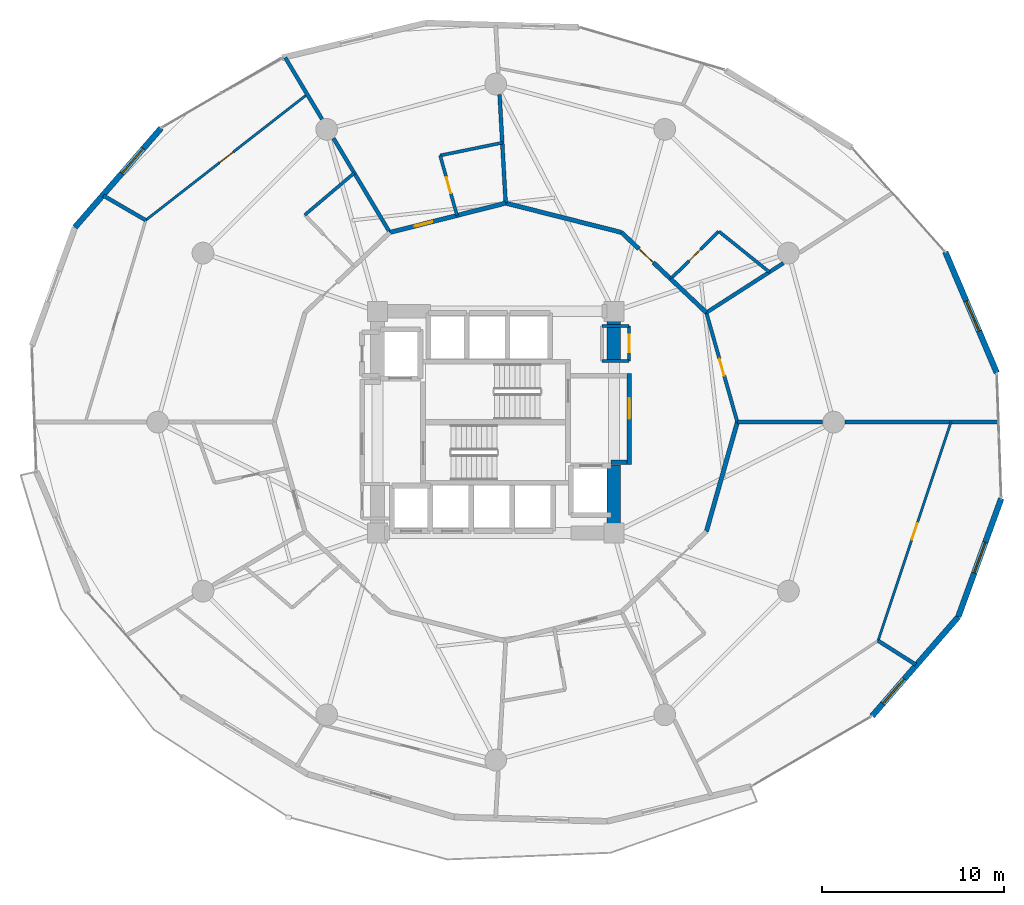
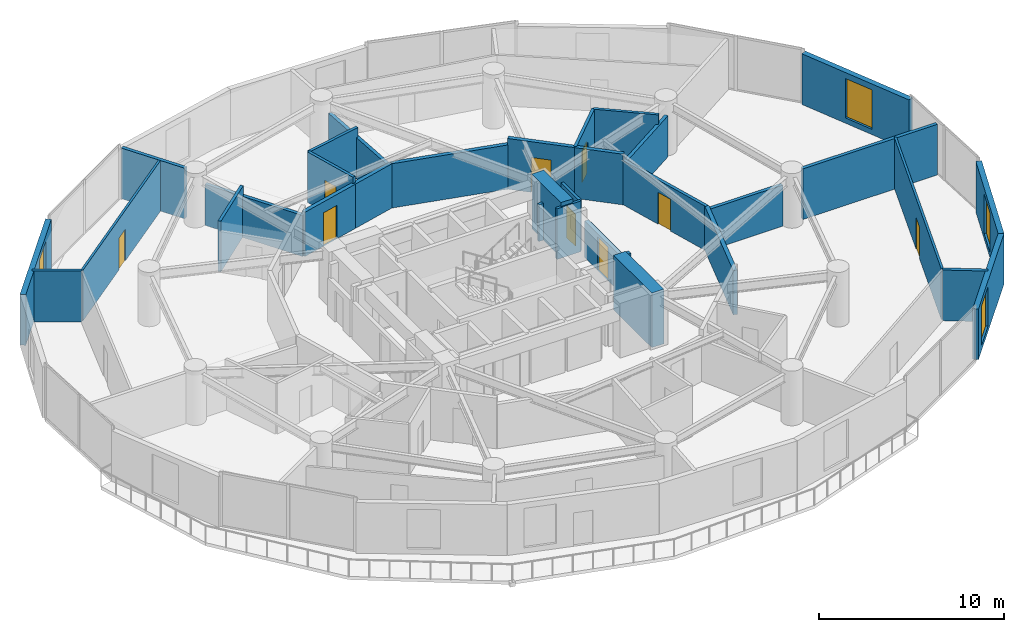
# One storey, part 19 of 23: 33 walls, 9 doors, 4 windows, 13 openings.
"""IFC4 building model written with IfcOpenShell, lengths in metres."""

from ifc_helpers import new_model, si_unit, direction, frame, frame_2d, origin, place, context, subcontext, project, spatial, rectangle, extrude, material, layer, layer_set, type_object, element, fill, save


model = new_model("IFC4")

# Units and contexts
model_context = context("Model", 3, precision=1e-05, world=origin(), true_north=direction((0.0, 1.0)))
body_context = subcontext(model_context, "Body", "Model", "MODEL_VIEW")
ifc_project = project(units=[si_unit("LENGTHUNIT", "METRE"), si_unit("AREAUNIT", "SQUARE_METRE"), si_unit("VOLUMEUNIT", "CUBIC_METRE"), si_unit("PLANEANGLEUNIT", "RADIAN"), si_unit("MASSUNIT", "GRAM", prefix="KILO")], contexts=[model_context])

# Site, building, storey
site_placement = place(None, origin())
site = spatial("IfcSite", under=ifc_project, at=site_placement, CompositionType="ELEMENT")
building_placement = place(site_placement, origin())
building = spatial("IfcBuilding", under=site, at=building_placement, Name="Solvirekh Grand Hotel", CompositionType="ELEMENT")
storey_placement = place(building_placement, frame((0.0, 0.0, 42.800048828125)))
storey = spatial("IfcBuildingStorey", under=building, at=storey_placement, Name="L09", CompositionType="ELEMENT", Elevation=42.800048828125)

# Walls
ifc_material_1 = material(Name="Concrete C60/75", Category="concrete")
ifc_layer_1 = layer(ifc_material_1, 0.75)
ifc_layer_set_1 = layer_set([ifc_layer_1], Name="Concrete C60/75")
wall_type_1 = type_object("IfcWallType", Name="CoreWall_RC750", PredefinedType="SHEAR", material=ifc_layer_set_1)
wall_1_placement = place(storey_placement, frame((6.5, -6.47509765625, 0.0), z_axis=(0.0, 0.0, 1.0), x_axis=(0.0, 1.0, 0.0)))
element("IfcWall", 1, at=wall_1_placement, inside=storey, type_object=wall_type_1, Name="L09 core corner shear wall ES-E", PredefinedType="SHEAR", context=body_context, shape_type="SweptSolid", body=[
    extrude(rectangle(XDim=4.125, YDim=0.75, at=frame_2d((2.0625, 0.0))), origin(), (0.0, 0.0, 1.0), 3.599853515625),
])
wall_2_placement = place(storey_placement, frame((6.5, 3.35009765625, 0.0), z_axis=(0.0, 0.0, 1.0), x_axis=(0.0, 1.0, 0.0)))
element("IfcWall", 2, at=wall_2_placement, inside=storey, type_object=wall_type_1, Name="L09 core corner shear wall EN-E", PredefinedType="SHEAR", context=body_context, shape_type="SweptSolid", body=[
    extrude(rectangle(XDim=3.125, YDim=0.75, at=frame_2d((1.5625, 0.0))), origin(), (0.0, 0.0, 1.0), 3.599853515625),
])

# Wall, opening, window
ifc_material_2 = material(Name="Precast concrete C45/55", Category="concrete")
ifc_layer_2 = layer(ifc_material_2, 0.320068359375)
ifc_layer_set_2 = layer_set([ifc_layer_2], Name="Precast concrete C45/55")
wall_type_2 = type_object("IfcWallType", Name="ExtLobbyWall_RC320", PredefinedType="SOLIDWALL", material=ifc_layer_set_2)
wall_3_placement = place(storey_placement, frame((24.740966796875, 9.37109375, 0.0), z_axis=(0.0, 0.0, 1.0), x_axis=(0.391681637704, -0.920100806806, 0.0)))
wall_3 = element("IfcWall", 3, at=wall_3_placement, inside=storey, type_object=wall_type_2, Name="L09 exterior structural wall chord 2", PredefinedType="SOLIDWALL", context=body_context, shape_type="SweptSolid", body=[
    extrude(rectangle(XDim=7.23291015625, YDim=0.320068359375, at=frame_2d((3.616455078125, 0.0))), origin(), (0.0, 0.0, 1.0), 3.33984375),
])
opening_1_placement = place(wall_3_placement, frame((2.93798828125, 0.0, 0.35009765625)))
opening_1 = element("IfcOpeningElement", 4, at=opening_1_placement, cuts=wall_3, Name="Opening W02", PredefinedType="OPENING", context=body_context, shape_type="SweptSolid", body=[
    extrude(rectangle(XDim=1.800048828125, YDim=2.60009765625, at=frame_2d((0.89990234375, 1.300048828125))), frame((0.0, 0.169921875, 0.0), z_axis=(0.0, -1.0, 0.0), x_axis=(1.0, 0.0, 0.0)), (0.0, 0.0, 1.0), 0.340087890625),
])
ifc_material_3 = material(Name="Low-E Tinted Bronze Laminated Glass", Category="aluminium")
window_type = type_object("IfcWindowType", Name="Win_LobbyExt_1800X2600", PartitioningType="SINGLE_PANEL", PredefinedType="WINDOW", material=ifc_material_3)
window_1_placement = place(opening_1_placement, origin())
window_1 = element("IfcWindow", 5, at=window_1_placement, inside=storey, type_object=window_type, Name="L09 panoramic bronze-framed window 2", OverallHeight=2.60009765625, OverallWidth=1.800048828125, PartitioningType="SINGLE_PANEL", PredefinedType="WINDOW", context=body_context, shape_type="SweptSolid", body=[
    extrude(rectangle(XDim=1.800048828125, YDim=2.60009765625, at=frame_2d((0.89990234375, 1.300048828125))), frame((0.0, 0.030029296875, 0.0), z_axis=(0.0, -1.0, 0.0), x_axis=(1.0, 0.0, 0.0)), (0.0, 0.0, 1.0), 0.06005859375),
])
fill(opening_1, window_1)

wall_4_placement = place(storey_placement, frame((-23.156005859375, 10.715087890625, 0.0), z_axis=(0.0, 0.0, 1.0), x_axis=(0.655795022555, 0.75493899647, 0.0)))
wall_4 = element("IfcWall", 6, at=wall_4_placement, inside=storey, type_object=wall_type_2, Name="L09 exterior structural wall chord 9", PredefinedType="SOLIDWALL", context=body_context, shape_type="SweptSolid", body=[
    extrude(rectangle(XDim=7.232421875, YDim=0.320068359375, at=frame_2d((3.6162109375, 0.0))), origin(), (0.0, 0.0, 1.0), 3.33984375),
])
opening_2_placement = place(wall_4_placement, frame((3.94091796875, 0.0, 0.35009765625)))
opening_2 = element("IfcOpeningElement", 7, at=opening_2_placement, cuts=wall_4, Name="Opening W02", PredefinedType="OPENING", context=body_context, shape_type="SweptSolid", body=[
    extrude(rectangle(XDim=1.800048828125, YDim=2.60009765625, at=frame_2d((0.89990234375, 1.300048828125))), frame((0.0, 0.169921875, 0.0), z_axis=(0.0, -1.0, 0.0), x_axis=(1.0, 0.0, 0.0)), (0.0, 0.0, 1.0), 0.340087890625),
])
window_2_placement = place(opening_2_placement, origin())
window_2 = element("IfcWindow", 8, at=window_2_placement, inside=storey, type_object=window_type, Name="L09 panoramic bronze-framed window 9", OverallHeight=2.60009765625, OverallWidth=1.800048828125, PartitioningType="SINGLE_PANEL", PredefinedType="WINDOW", context=body_context, shape_type="SweptSolid", body=[
    extrude(rectangle(XDim=1.800048828125, YDim=2.60009765625, at=frame_2d((0.89990234375, 1.300048828125))), frame((0.0, 0.030029296875, 0.0), z_axis=(0.0, -1.0, 0.0), x_axis=(1.0, 0.0, 0.0)), (0.0, 0.0, 1.0), 0.06005859375),
])
fill(opening_2, window_2)

wall_5_placement = place(storey_placement, frame((25.4560546875, -10.715087890625, 0.0), z_axis=(0.0, 0.0, 1.0), x_axis=(-0.655814261076, -0.754922284059, 0.0)))
wall_5 = element("IfcWall", 9, at=wall_5_placement, inside=storey, type_object=wall_type_2, Name="L09 exterior structural wall chord 19", PredefinedType="SOLIDWALL", context=body_context, shape_type="SweptSolid", body=[
    extrude(rectangle(XDim=7.232421875, YDim=0.320068359375, at=frame_2d((3.6162109375, 0.0))), origin(), (0.0, 0.0, 1.0), 3.33984375),
])
opening_3_placement = place(wall_5_placement, frame((4.52587890625, 0.0, 0.35009765625)))
opening_3 = element("IfcOpeningElement", 10, at=opening_3_placement, cuts=wall_5, Name="Opening W02", PredefinedType="OPENING", context=body_context, shape_type="SweptSolid", body=[
    extrude(rectangle(XDim=1.800048828125, YDim=2.60009765625, at=frame_2d((0.89990234375, 1.300048828125))), frame((0.0, 0.169921875, 0.0), z_axis=(0.0, -1.0, 0.0), x_axis=(1.0, 0.0, 0.0)), (0.0, 0.0, 1.0), 0.340087890625),
])
window_3_placement = place(opening_3_placement, origin())
window_3 = element("IfcWindow", 11, at=window_3_placement, inside=storey, type_object=window_type, Name="L09 panoramic bronze-framed window 19", OverallHeight=2.60009765625, OverallWidth=1.800048828125, PartitioningType="SINGLE_PANEL", PredefinedType="WINDOW", context=body_context, shape_type="SweptSolid", body=[
    extrude(rectangle(XDim=1.800048828125, YDim=2.60009765625, at=frame_2d((0.89990234375, 1.300048828125))), frame((0.0, 0.030029296875, 0.0), z_axis=(0.0, -1.0, 0.0), x_axis=(1.0, 0.0, 0.0)), (0.0, 0.0, 1.0), 0.06005859375),
])
fill(opening_3, window_3)

wall_6_placement = place(storey_placement, frame((27.821044921875, -4.205078125, 0.0), z_axis=(0.0, 0.0, 1.0), x_axis=(-0.341451539559, -0.939899380856, 0.0)))
wall_6 = element("IfcWall", 12, at=wall_6_placement, inside=storey, type_object=wall_type_2, Name="L09 exterior structural wall chord 20", PredefinedType="SOLIDWALL", context=body_context, shape_type="SweptSolid", body=[
    extrude(rectangle(XDim=6.92626953125, YDim=0.320068359375, at=frame_2d((3.463134765625, 0.0))), origin(), (0.0, 0.0, 1.0), 3.33984375),
])
opening_4_placement = place(wall_6_placement, frame((2.56298828125, 0.0, 0.35009765625)))
opening_4 = element("IfcOpeningElement", 13, at=opening_4_placement, cuts=wall_6, Name="Opening W02", PredefinedType="OPENING", context=body_context, shape_type="SweptSolid", body=[
    extrude(rectangle(XDim=1.800048828125, YDim=2.60009765625, at=frame_2d((0.89990234375, 1.300048828125))), frame((0.0, 0.169921875, 0.0), z_axis=(0.0, -1.0, 0.0), x_axis=(1.0, 0.0, 0.0)), (0.0, 0.0, 1.0), 0.340087890625),
])
window_4_placement = place(opening_4_placement, origin())
window_4 = element("IfcWindow", 14, at=window_4_placement, inside=storey, type_object=window_type, Name="L09 panoramic bronze-framed window 20", OverallHeight=2.60009765625, OverallWidth=1.800048828125, PartitioningType="SINGLE_PANEL", PredefinedType="WINDOW", context=body_context, shape_type="SweptSolid", body=[
    extrude(rectangle(XDim=1.800048828125, YDim=2.60009765625, at=frame_2d((0.89990234375, 1.300048828125))), frame((0.0, 0.030029296875, 0.0), z_axis=(0.0, -1.0, 0.0), x_axis=(1.0, 0.0, 0.0)), (0.0, 0.0, 1.0), 0.06005859375),
])
fill(opening_4, window_4)

# Wall
ifc_material_4 = material(Name="Acoustic Gypsum Partition Assembly")
ifc_layer_3 = layer(ifc_material_4, 0.1650390625)
ifc_layer_set_3 = layer_set([ifc_layer_3], Name="Acoustic Gypsum Partition Assembly")
wall_type_3 = type_object("IfcWallType", Name="Part_BOH_165", PredefinedType="PARTITIONING", material=ifc_layer_set_3)
wall_7_placement = place(storey_placement, frame((5.85009765625, 3.35009765625, 0.0), z_axis=(0.0, 0.0, 1.0), x_axis=(1.0, 0.0, 0.0)))
element("IfcWall", 15, at=wall_7_placement, inside=storey, type_object=wall_type_3, Name="L09 L09 Core Housekeeping Room wall 1", PredefinedType="PARTITIONING", context=body_context, shape_type="SweptSolid", body=[
    extrude(rectangle(XDim=1.5, YDim=0.1650390625, at=frame_2d((0.75, 0.0))), origin(), (0.0, 0.0, 1.0), 3.33984375),
])

# Wall, opening, door
wall_8_placement = place(storey_placement, frame((7.35009765625, 3.35009765625, 0.0), z_axis=(0.0, 0.0, 1.0), x_axis=(0.0, 1.0, 0.0)))
wall_8 = element("IfcWall", 16, at=wall_8_placement, inside=storey, type_object=wall_type_3, Name="L09 L09 Core Housekeeping Room wall 2", PredefinedType="PARTITIONING", context=body_context, shape_type="SweptSolid", body=[
    extrude(rectangle(XDim=1.949951171875, YDim=0.1650390625, at=frame_2d((0.97509765625, 0.0))), origin(), (0.0, 0.0, 1.0), 3.33984375),
])
opening_5_placement = place(wall_8_placement, frame((0.5, 0.0, 0.0)))
opening_5 = element("IfcOpeningElement", 17, at=opening_5_placement, cuts=wall_8, Name="Opening D10", PredefinedType="OPENING", context=body_context, shape_type="SweptSolid", body=[
    extrude(rectangle(XDim=0.949951171875, YDim=2.10009765625, at=frame_2d((0.47509765625, 1.050048828125))), frame((0.0, 0.092529296875, 0.0), z_axis=(0.0, -1.0, 0.0), x_axis=(1.0, 0.0, 0.0)), (0.0, 0.0, 1.0), 0.18505859375),
])
ifc_material_5 = material(Name="Anodized Bronze Aluminium 6063-T6", Category="aluminium")
door_type_1 = type_object("IfcDoorType", Name="Door_RoomInt_950X2100", OperationType="NOTDEFINED", PredefinedType="DOOR", material=ifc_material_5)
door_1_placement = place(opening_5_placement, origin())
door_1 = element("IfcDoor", 18, at=door_1_placement, inside=storey, type_object=door_type_1, Name="L09 L09 Core Housekeeping Room door", OperationType="SINGLE_SWING_RIGHT", OverallHeight=2.10009765625, OverallWidth=0.949951171875, PredefinedType="DOOR", context=body_context, shape_type="SweptSolid", body=[
    extrude(rectangle(XDim=0.949951171875, YDim=2.10009765625, at=frame_2d((0.47509765625, 1.050048828125))), frame((0.0, 0.02490234375, 0.0), z_axis=(0.0, -1.0, 0.0), x_axis=(1.0, 0.0, 0.0)), (0.0, 0.0, 1.0), 0.050048828125),
])
fill(opening_5, door_1)

# Wall
wall_9_placement = place(storey_placement, frame((7.35009765625, 5.300048828125, 0.0), z_axis=(0.0, 0.0, 1.0), x_axis=(-1.0, 0.0, 0.0)))
element("IfcWall", 19, at=wall_9_placement, inside=storey, type_object=wall_type_3, Name="L09 L09 Core Housekeeping Room wall 3", PredefinedType="PARTITIONING", context=body_context, shape_type="SweptSolid", body=[
    extrude(rectangle(XDim=1.5, YDim=0.1650390625, at=frame_2d((0.75, 0.0))), origin(), (0.0, 0.0, 1.0), 2.425048828125),
])

# Wall, opening, door
ifc_layer_4 = layer(ifc_material_4, 0.239990234375)
ifc_layer_set_4 = layer_set([ifc_layer_4], Name="Acoustic Gypsum Partition Assembly")
wall_type_4 = type_object("IfcWallType", Name="Part_Corridor_240", PredefinedType="PARTITIONING", material=ifc_layer_set_4)
wall_10_placement = place(storey_placement, frame((7.35009765625, -2.340087890625, 0.0), z_axis=(0.0, 0.0, 1.0), x_axis=(0.0, 1.0, 0.0)))
wall_10 = element("IfcWall", 20, at=wall_10_placement, inside=storey, type_object=wall_type_4, Name="L09 east firefighting lobby smoke screen wall", PredefinedType="PARTITIONING", context=body_context, shape_type="SweptSolid", body=[
    extrude(rectangle(XDim=5.02001953125, YDim=0.239990234375, at=frame_2d((2.510009765625, 0.0))), origin(), (0.0, 0.0, 1.0), 2.425048828125),
])
opening_6_placement = place(wall_10_placement, frame((2.514892578125, 0.0, 0.0)))
opening_6 = element("IfcOpeningElement", 21, at=opening_6_placement, cuts=wall_10, Name="Opening D06", PredefinedType="OPENING", context=body_context, shape_type="SweptSolid", body=[
    extrude(rectangle(XDim=1.14990234375, YDim=2.199951171875, at=frame_2d((0.574951171875, 1.10009765625))), frame((0.0, 0.1298828125, 0.0), z_axis=(0.0, -1.0, 0.0), x_axis=(1.0, 0.0, 0.0)), (0.0, 0.0, 1.0), 0.260009765625),
])
ifc_material_6 = material(Name="Fire-Rated Steel Door Assembly", Category="steel")
door_type_2 = type_object("IfcDoorType", Name="Door_FFLobby_1150X2200", OperationType="NOTDEFINED", PredefinedType="DOOR", material=ifc_material_6)
door_2_placement = place(opening_6_placement, origin())
door_2 = element("IfcDoor", 22, at=door_2_placement, inside=storey, type_object=door_type_2, Name="L09 east firefighting lobby smoke door", OperationType="SINGLE_SWING_LEFT", OverallHeight=2.199951171875, OverallWidth=1.14990234375, PredefinedType="DOOR", context=body_context, shape_type="SweptSolid", body=[
    extrude(rectangle(XDim=1.14990234375, YDim=2.199951171875, at=frame_2d((0.574951171875, 1.10009765625))), frame((0.0, 0.02490234375, 0.0), z_axis=(0.0, -1.0, 0.0), x_axis=(1.0, 0.0, 0.0)), (0.0, 0.0, 1.0), 0.050048828125),
])
fill(opening_6, door_2)

# Walls
wall_11_placement = place(storey_placement, frame((11.592041015625, 6.02490234375, 0.0), z_axis=(0.0, 0.0, 1.0), x_axis=(-0.726651583854, 0.687006168591, 0.0)))
element("IfcWall", 23, at=wall_11_placement, inside=storey, type_object=wall_type_4, Name="L09 En-suite Bathroom 1101 corridor backing wall", PredefinedType="PARTITIONING", context=body_context, shape_type="SweptSolid", body=[
    extrude(rectangle(XDim=2.697265625, YDim=0.239990234375, at=frame_2d((1.3486328125, 0.0))), origin(), (0.0, 0.0, 1.0), 3.33984375),
])
wall_12_placement = place(storey_placement, frame((6.925048828125, 10.43603515625, 0.0), z_axis=(0.0, 0.0, 1.0), x_axis=(-0.969413132073, 0.245434674331, 0.0)))
element("IfcWall", 24, at=wall_12_placement, inside=storey, type_object=wall_type_4, Name="L09 Executive Suite 1101 Living Room corridor wall 1", PredefinedType="PARTITIONING", context=body_context, shape_type="SweptSolid", body=[
    extrude(rectangle(XDim=6.576171875, YDim=0.239990234375, at=frame_2d((3.2880859375, 0.0))), origin(), (0.0, 0.0, 1.0), 2.91796875),
])

# Wall, opening, door
wall_13_placement = place(storey_placement, frame((9.632080078125, 7.8779296875, 0.0), z_axis=(0.0, 0.0, 1.0), x_axis=(-0.726816794063, 0.686831382413, 0.0)))
wall_13 = element("IfcWall", 25, at=wall_13_placement, inside=storey, type_object=wall_type_4, Name="L09 Executive Suite 1101 Living Room entrance wall", PredefinedType="PARTITIONING", context=body_context, shape_type="SweptSolid", body=[
    extrude(rectangle(XDim=3.724609375, YDim=0.239990234375, at=frame_2d((1.8623046875, 0.0))), origin(), (0.0, 0.0, 1.0), 3.33984375),
])
opening_7_placement = place(wall_13_placement, frame((1.31201171875, 0.0, 0.0)))
opening_7 = element("IfcOpeningElement", 26, at=opening_7_placement, cuts=wall_13, Name="Opening D08", PredefinedType="OPENING", context=body_context, shape_type="SweptSolid", body=[
    extrude(rectangle(XDim=1.10009765625, YDim=2.300048828125, at=frame_2d((0.550048828125, 1.14990234375))), frame((0.0, 0.1298828125, 0.0), z_axis=(0.0, -1.0, 0.0), x_axis=(1.0, 0.0, 0.0)), (0.0, 0.0, 1.0), 0.260009765625),
])
door_type_3 = type_object("IfcDoorType", Name="Door_SuiteEntry_1100X2300", OperationType="NOTDEFINED", PredefinedType="DOOR", material=ifc_material_6)
door_3_placement = place(opening_7_placement, origin())
door_3 = element("IfcDoor", 27, at=door_3_placement, inside=storey, type_object=door_type_3, Name="L09 Executive Suite 1101 Living Room entrance door", OperationType="SINGLE_SWING_RIGHT", OverallHeight=2.300048828125, OverallWidth=1.10009765625, PredefinedType="DOOR", context=body_context, shape_type="SweptSolid", body=[
    extrude(rectangle(XDim=1.10009765625, YDim=2.300048828125, at=frame_2d((0.550048828125, 1.14990234375))), frame((0.0, 0.02490234375, 0.0), z_axis=(0.0, -1.0, 0.0), x_axis=(1.0, 0.0, 0.0)), (0.0, 0.0, 1.0), 0.050048828125),
])
fill(opening_7, door_3)

# Wall
wall_14_placement = place(storey_placement, frame((0.550048828125, 12.050048828125, 0.0), z_axis=(0.0, 0.0, 1.0), x_axis=(-0.969394271919, -0.245509155779, 0.0)))
element("IfcWall", 28, at=wall_14_placement, inside=storey, type_object=wall_type_4, Name="L09 En-suite Bathroom 1102 corridor backing wall", PredefinedType="PARTITIONING", context=body_context, shape_type="SweptSolid", body=[
    extrude(rectangle(XDim=2.761474609375, YDim=0.239990234375, at=frame_2d((1.380859375, 0.0))), origin(), (0.0, 0.0, 1.0), 2.91796875),
])

# Wall, opening, door
wall_15_placement = place(storey_placement, frame((-2.126953125, 11.3720703125, 0.0), z_axis=(0.0, 0.0, 1.0), x_axis=(-0.969426781934, -0.245380754072, 0.0)))
wall_15 = element("IfcWall", 29, at=wall_15_placement, inside=storey, type_object=wall_type_4, Name="L09 Deluxe Guestroom 1102 entrance wall", PredefinedType="PARTITIONING", context=body_context, shape_type="SweptSolid", body=[
    extrude(rectangle(XDim=3.814697265625, YDim=0.239990234375, at=frame_2d((1.9072265625, 0.0))), origin(), (0.0, 0.0, 1.0), 2.91796875),
])
opening_8_placement = place(wall_15_placement, frame((1.406982421875, 0.0, 0.0)))
opening_8 = element("IfcOpeningElement", 30, at=opening_8_placement, cuts=wall_15, Name="Opening D07", PredefinedType="OPENING", context=body_context, shape_type="SweptSolid", body=[
    extrude(rectangle(XDim=1.0, YDim=2.199951171875, at=frame_2d((0.5, 1.10009765625))), frame((0.0, 0.1298828125, 0.0), z_axis=(0.0, -1.0, 0.0), x_axis=(1.0, 0.0, 0.0)), (0.0, 0.0, 1.0), 0.260009765625),
])
door_type_4 = type_object("IfcDoorType", Name="Door_GuestEntry_1000X2200", OperationType="NOTDEFINED", PredefinedType="DOOR", material=ifc_material_6)
door_4_placement = place(opening_8_placement, origin())
door_4 = element("IfcDoor", 31, at=door_4_placement, inside=storey, type_object=door_type_4, Name="L09 Deluxe Guestroom 1102 entrance door", OperationType="SINGLE_SWING_RIGHT", OverallHeight=2.199951171875, OverallWidth=1.0, PredefinedType="DOOR", context=body_context, shape_type="SweptSolid", body=[
    extrude(rectangle(XDim=1.0, YDim=2.199951171875, at=frame_2d((0.5, 1.10009765625))), frame((0.0, 0.02490234375, 0.0), z_axis=(0.0, -1.0, 0.0), x_axis=(1.0, 0.0, 0.0)), (0.0, 0.0, 1.0), 0.050048828125),
])
fill(opening_8, door_4)

# Wall
wall_16_placement = place(storey_placement, frame((11.592041015625, -6.02490234375, 0.0), z_axis=(0.0, 0.0, 1.0), x_axis=(0.272743314702, 0.962086838225, 0.0)))
element("IfcWall", 32, at=wall_16_placement, inside=storey, type_object=wall_type_4, Name="L09 Executive Suite 1107 Living Room corridor wall 1", PredefinedType="PARTITIONING", context=body_context, shape_type="SweptSolid", body=[
    extrude(rectangle(XDim=6.26220703125, YDim=0.239990234375, at=frame_2d((3.131103515625, 0.0))), origin(), (0.0, 0.0, 1.0), 2.91796875),
])

# Wall, opening, door
ifc_layer_5 = layer(ifc_material_4, 0.18994140625)
ifc_layer_set_5 = layer_set([ifc_layer_5], Name="Acoustic Gypsum Partition Assembly")
wall_type_5 = type_object("IfcWallType", Name="Part_GuestDemise_190", PredefinedType="PARTITIONING", material=ifc_layer_set_5)
wall_17_placement = place(storey_placement, frame((13.300048828125, 0.0, 0.0), z_axis=(0.0, 0.0, 1.0), x_axis=(-0.272743314702, 0.962086838225, 0.0)))
wall_17 = element("IfcWall", 33, at=wall_17_placement, inside=storey, type_object=wall_type_5, Name="L09 L09 Tea & Samovar Lounge entrance wall", PredefinedType="PARTITIONING", context=body_context, shape_type="SweptSolid", body=[
    extrude(rectangle(XDim=6.26220703125, YDim=0.18994140625, at=frame_2d((3.131103515625, 0.0))), origin(), (0.0, 0.0, 1.0), 2.91796875),
])
opening_9_placement = place(wall_17_placement, frame((2.656005859375, 0.0, 0.0)))
opening_9 = element("IfcOpeningElement", 34, at=opening_9_placement, cuts=wall_17, Name="Opening D10", PredefinedType="OPENING", context=body_context, shape_type="SweptSolid", body=[
    extrude(rectangle(XDim=0.949951171875, YDim=2.10009765625, at=frame_2d((0.47509765625, 1.050048828125))), frame((0.0, 0.10498046875, 0.0), z_axis=(0.0, -1.0, 0.0), x_axis=(1.0, 0.0, 0.0)), (0.0, 0.0, 1.0), 0.2099609375),
])
door_5_placement = place(opening_9_placement, origin())
door_5 = element("IfcDoor", 35, at=door_5_placement, inside=storey, type_object=door_type_1, Name="L09 L09 Tea & Samovar Lounge entrance door", OperationType="SINGLE_SWING_LEFT", OverallHeight=2.10009765625, OverallWidth=0.949951171875, PredefinedType="DOOR", context=body_context, shape_type="SweptSolid", body=[
    extrude(rectangle(XDim=0.949951171875, YDim=2.10009765625, at=frame_2d((0.47509765625, 1.050048828125))), frame((0.0, 0.02490234375, 0.0), z_axis=(0.0, -1.0, 0.0), x_axis=(1.0, 0.0, 0.0)), (0.0, 0.0, 1.0), 0.050048828125),
])
fill(opening_9, door_5)

# Wall
ifc_layer_6 = layer(ifc_material_4, 0.260009765625)
ifc_layer_set_6 = layer_set([ifc_layer_6], Name="Acoustic Gypsum Partition Assembly")
wall_type_6 = type_object("IfcWallType", Name="Part_LobbyFF_260", PredefinedType="PARTITIONING", material=ifc_layer_set_6)
wall_18_placement = place(storey_placement, frame((6.35009765625, -2.2099609375, 0.0), z_axis=(0.0, 0.0, 1.0), x_axis=(1.0, 0.0, 0.0)))
element("IfcWall", 36, at=wall_18_placement, inside=storey, type_object=wall_type_6, Name="L09 east firefighting lobby SE cheek", PredefinedType="PARTITIONING", context=body_context, shape_type="SweptSolid", body=[
    extrude(rectangle(XDim=0.875, YDim=0.260009765625, at=frame_2d((0.4375, 0.0))), origin(), (0.0, 0.0, 1.0), 3.33984375),
])

# Wall, opening, door
ifc_layer_7 = layer(ifc_material_4, 0.135009765625)
ifc_layer_set_7 = layer_set([ifc_layer_7], Name="Acoustic Gypsum Partition Assembly")
wall_type_7 = type_object("IfcWallType", Name="Part_RoomInt_135", PredefinedType="PARTITIONING", material=ifc_layer_set_7)
wall_19_placement = place(storey_placement, frame((-10.37109375, 18.035888671875, 0.0), z_axis=(0.0, 0.0, 1.0), x_axis=(-0.788739150212, -0.614728031671, 0.0)))
wall_19 = element("IfcWall", 37, at=wall_19_placement, inside=storey, type_object=wall_type_7, Name="L09 Executive Suite 1103 Living Room bedroom screen wall", PredefinedType="PARTITIONING", context=body_context, shape_type="SweptSolid", body=[
    extrude(rectangle(XDim=11.264892578125, YDim=0.135009765625, at=frame_2d((5.63232421875, 0.0))), origin(), (0.0, 0.0, 1.0), 3.33984375),
])
opening_10_placement = place(wall_19_placement, frame((5.156982421875, 0.0, 0.0)))
opening_10 = element("IfcOpeningElement", 38, at=opening_10_placement, cuts=wall_19, Name="Opening D10", PredefinedType="OPENING", context=body_context, shape_type="SweptSolid", body=[
    extrude(rectangle(XDim=0.949951171875, YDim=2.10009765625, at=frame_2d((0.47509765625, 1.050048828125))), frame((0.0, 0.07763671875, 0.0), z_axis=(0.0, -1.0, 0.0), x_axis=(1.0, 0.0, 0.0)), (0.0, 0.0, 1.0), 0.155029296875),
])
door_6_placement = place(opening_10_placement, origin())
door_6 = element("IfcDoor", 39, at=door_6_placement, inside=storey, type_object=door_type_1, Name="L09 Executive Suite 1103 Living Room master bedroom door", OperationType="SINGLE_SWING_LEFT", OverallHeight=2.10009765625, OverallWidth=0.949951171875, PredefinedType="DOOR", context=body_context, shape_type="SweptSolid", body=[
    extrude(rectangle(XDim=0.949951171875, YDim=2.10009765625, at=frame_2d((0.47509765625, 1.050048828125))), frame((0.0, 0.02490234375, 0.0), z_axis=(0.0, -1.0, 0.0), x_axis=(1.0, 0.0, 0.0)), (0.0, 0.0, 1.0), 0.050048828125),
])
fill(opening_10, door_6)

wall_20_placement = place(storey_placement, frame((21.04296875, -12.029052734375, 0.0), z_axis=(0.0, 0.0, 1.0), x_axis=(0.316112232613, 0.948721801369, 0.0)))
wall_20 = element("IfcWall", 40, at=wall_20_placement, inside=storey, type_object=wall_type_7, Name="L09 Executive Suite 1107 Panorama Suite Study bedroom screen wall", PredefinedType="PARTITIONING", context=body_context, shape_type="SweptSolid", body=[
    extrude(rectangle(XDim=12.67919921875, YDim=0.135009765625, at=frame_2d((6.339599609375, 0.0))), origin(), (0.0, 0.0, 1.0), 3.33984375),
])
opening_11_placement = place(wall_20_placement, frame((5.864990234375, 0.0, 0.0)))
opening_11 = element("IfcOpeningElement", 41, at=opening_11_placement, cuts=wall_20, Name="Opening D10", PredefinedType="OPENING", context=body_context, shape_type="SweptSolid", body=[
    extrude(rectangle(XDim=0.949951171875, YDim=2.10009765625, at=frame_2d((0.47509765625, 1.050048828125))), frame((0.0, 0.07763671875, 0.0), z_axis=(0.0, -1.0, 0.0), x_axis=(1.0, 0.0, 0.0)), (0.0, 0.0, 1.0), 0.155029296875),
])
door_7_placement = place(opening_11_placement, origin())
door_7 = element("IfcDoor", 42, at=door_7_placement, inside=storey, type_object=door_type_1, Name="L09 Executive Suite 1107 Panorama Suite Study master bedroom door", OperationType="SINGLE_SWING_RIGHT", OverallHeight=2.10009765625, OverallWidth=0.949951171875, PredefinedType="DOOR", context=body_context, shape_type="SweptSolid", body=[
    extrude(rectangle(XDim=0.949951171875, YDim=2.10009765625, at=frame_2d((0.47509765625, 1.050048828125))), frame((0.0, 0.02490234375, 0.0), z_axis=(0.0, -1.0, 0.0), x_axis=(1.0, 0.0, 0.0)), (0.0, 0.0, 1.0), 0.050048828125),
])
fill(opening_11, door_7)

# Walls
ifc_layer_8 = layer(ifc_material_4, 0.2099609375)
ifc_layer_set_8 = layer_set([ifc_layer_8], Name="Acoustic Gypsum Partition Assembly")
wall_type_8 = type_object("IfcWallType", Name="Part_SuiteDemise_210", PredefinedType="PARTITIONING", material=ifc_layer_set_8)
wall_21_placement = place(storey_placement, frame((13.300048828125, 0.0, 0.0), z_axis=(0.0, 0.0, 1.0), x_axis=(1.0, 0.0, 0.0)))
element("IfcWall", 43, at=wall_21_placement, inside=storey, type_object=wall_type_8, Name="L09 suite radial wall 1 (A)", PredefinedType="PARTITIONING", context=body_context, shape_type="SweptSolid", body=[
    extrude(rectangle(XDim=4.679931640625, YDim=0.2099609375, at=frame_2d((2.33984375, 0.0))), origin(), (0.0, 0.0, 1.0), 2.7080078125),
])
wall_22_placement = place(storey_placement, frame((19.219970703125, 0.0, 0.0), z_axis=(0.0, 0.0, 1.0), x_axis=(1.0, 0.0, 0.0)))
element("IfcWall", 44, at=wall_22_placement, inside=storey, type_object=wall_type_8, Name="L09 suite radial wall 1 (B)", PredefinedType="PARTITIONING", context=body_context, shape_type="SweptSolid", body=[
    extrude(rectangle(XDim=8.4111328125, YDim=0.2099609375, at=frame_2d((4.20556640625, 0.0))), origin(), (0.0, 0.0, 1.0), 3.33984375),
])
wall_23_placement = place(storey_placement, frame((11.592041015625, 6.02490234375, 0.0), z_axis=(0.0, 0.0, 1.0), x_axis=(0.841200533938, 0.540723276456, 0.0)))
element("IfcWall", 45, at=wall_23_placement, inside=storey, type_object=wall_type_8, Name="L09 suite radial wall 2 (A)", PredefinedType="PARTITIONING", context=body_context, shape_type="SweptSolid", body=[
    extrude(rectangle(XDim=5.034423828125, YDim=0.2099609375, at=frame_2d((2.51708984375, 0.0))), origin(), (0.0, 0.0, 1.0), 2.7080078125),
])
wall_24_placement = place(storey_placement, frame((0.550048828125, 12.050048828125, 0.0), z_axis=(0.0, 0.0, 1.0), x_axis=(-0.056200663667, 0.998419493702, 0.0)))
element("IfcWall", 46, at=wall_24_placement, inside=storey, type_object=wall_type_8, Name="L09 suite radial wall 4 (A)", PredefinedType="PARTITIONING", context=body_context, shape_type="SweptSolid", body=[
    extrude(rectangle(XDim=5.9775390625, YDim=0.2099609375, at=frame_2d((2.98876953125, 0.0))), origin(), (0.0, 0.0, 1.0), 2.7080078125),
])
wall_25_placement = place(storey_placement, frame((-5.824951171875, 10.43603515625, 0.0), z_axis=(0.0, 0.0, 1.0), x_axis=(-0.513299626213, 0.858209469611, 0.0)))
element("IfcWall", 47, at=wall_25_placement, inside=storey, type_object=wall_type_8, Name="L09 suite radial wall 5 (A)", PredefinedType="PARTITIONING", context=body_context, shape_type="SweptSolid", body=[
    extrude(rectangle(XDim=6.03564453125, YDim=0.2099609375, at=frame_2d((3.017822265625, 0.0))), origin(), (0.0, 0.0, 1.0), 2.7080078125),
])
wall_26_placement = place(storey_placement, frame((-9.554931640625, 16.673095703125, 0.0), z_axis=(0.0, 0.0, 1.0), x_axis=(-0.513466244752, 0.858109792218, 0.0)))
element("IfcWall", 48, at=wall_26_placement, inside=storey, type_object=wall_type_8, Name="L09 suite radial wall 5 (B)", PredefinedType="PARTITIONING", context=body_context, shape_type="SweptSolid", body=[
    extrude(rectangle(XDim=3.942138671875, YDim=0.2099609375, at=frame_2d((1.97119140625, 0.0))), origin(), (0.0, 0.0, 1.0), 3.33984375),
])
wall_27_placement = place(storey_placement, frame((-19.256103515625, 11.111083984375, 0.0), z_axis=(0.0, 0.0, 1.0), x_axis=(-0.864950144423, 0.501857796256, 0.0)))
element("IfcWall", 49, at=wall_27_placement, inside=storey, type_object=wall_type_8, Name="L09 Executive Suite 1103 Living Room dividing partition 1", PredefinedType="PARTITIONING", context=body_context, shape_type="SweptSolid", body=[
    extrude(rectangle(XDim=2.693603515625, YDim=0.2099609375, at=frame_2d((1.3466796875, 0.0))), origin(), (0.0, 0.0, 1.0), 3.33984375),
])
wall_28_placement = place(storey_placement, frame((21.04296875, -12.029052734375, 0.0), z_axis=(0.0, 0.0, 1.0), x_axis=(0.844131479441, -0.536136219087, 0.0)))
element("IfcWall", 50, at=wall_28_placement, inside=storey, type_object=wall_type_8, Name="L09 Executive Suite 1107 Living Room dividing partition 1", PredefinedType="PARTITIONING", context=body_context, shape_type="SweptSolid", body=[
    extrude(rectangle(XDim=2.4580078125, YDim=0.2099609375, at=frame_2d((1.22900390625, 0.0))), origin(), (0.0, 0.0, 1.0), 3.33984375),
])
ifc_layer_9 = layer(ifc_material_4, 0.175048828125)
ifc_layer_set_9 = layer_set([ifc_layer_9], Name="Acoustic Gypsum Partition Assembly")
wall_type_9 = type_object("IfcWallType", Name="Plumb_Ensuite_175", PredefinedType="PLUMBINGWALL", material=ifc_layer_set_9)
wall_29_placement = place(storey_placement, frame((15.06396484375, 8.257080078125, 0.0), z_axis=(0.0, 0.0, 1.0), x_axis=(-0.779272237284, 0.626685551292, 0.0)))
element("IfcWall", 51, at=wall_29_placement, inside=storey, type_object=wall_type_9, Name="L09 En-suite Bathroom 1101 outer plumbing wall", PredefinedType="PLUMBINGWALL", context=body_context, shape_type="SweptSolid", body=[
    extrude(rectangle(XDim=3.5712890625, YDim=0.175048828125, at=frame_2d((1.78564453125, 0.0))), origin(), (0.0, 0.0, 1.0), 3.33984375),
])

# Wall, opening, door
wall_30_placement = place(storey_placement, frame((9.632080078125, 7.8779296875, 0.0), z_axis=(0.0, 0.0, 1.0), x_axis=(0.711355516102, 0.702832362453, 0.0)))
wall_30 = element("IfcWall", 52, at=wall_30_placement, inside=storey, type_object=wall_type_9, Name="L09 En-suite Bathroom 1101 entry plumbing wall", PredefinedType="PLUMBINGWALL", context=body_context, shape_type="SweptSolid", body=[
    extrude(rectangle(XDim=3.723876953125, YDim=0.175048828125, at=frame_2d((1.86181640625, 0.0))), origin(), (0.0, 0.0, 1.0), 3.33984375),
])
opening_12_placement = place(wall_30_placement, frame((1.412109375, 0.0, 0.0)))
opening_12 = element("IfcOpeningElement", 53, at=opening_12_placement, cuts=wall_30, Name="Opening D09", PredefinedType="OPENING", context=body_context, shape_type="SweptSolid", body=[
    extrude(rectangle(XDim=0.89990234375, YDim=2.10009765625, at=frame_2d((0.449951171875, 1.050048828125))), frame((0.0, 0.09765625, 0.0), z_axis=(0.0, -1.0, 0.0), x_axis=(1.0, 0.0, 0.0)), (0.0, 0.0, 1.0), 0.195068359375),
])
door_type_5 = type_object("IfcDoorType", Name="Door_Ensuite_900X2100", OperationType="NOTDEFINED", PredefinedType="DOOR", material=ifc_material_5)
door_8_placement = place(opening_12_placement, origin())
door_8 = element("IfcDoor", 54, at=door_8_placement, inside=storey, type_object=door_type_5, Name="L09 En-suite Bathroom 1101 door", OperationType="SINGLE_SWING_LEFT", OverallHeight=2.10009765625, OverallWidth=0.89990234375, PredefinedType="DOOR", context=body_context, shape_type="SweptSolid", body=[
    extrude(rectangle(XDim=0.89990234375, YDim=2.10009765625, at=frame_2d((0.449951171875, 1.050048828125))), frame((0.0, 0.02490234375, 0.0), z_axis=(0.0, -1.0, 0.0), x_axis=(1.0, 0.0, 0.0)), (0.0, 0.0, 1.0), 0.050048828125),
])
fill(opening_12, door_8)

# Wall
wall_31_placement = place(storey_placement, frame((0.363037109375, 15.3720703125, 0.0), z_axis=(0.0, 0.0, 1.0), x_axis=(-0.979691208228, -0.200512185465, 0.0)))
element("IfcWall", 55, at=wall_31_placement, inside=storey, type_object=wall_type_9, Name="L09 En-suite Bathroom 1102 outer plumbing wall", PredefinedType="PLUMBINGWALL", context=body_context, shape_type="SweptSolid", body=[
    extrude(rectangle(XDim=3.49072265625, YDim=0.175048828125, at=frame_2d((1.745361328125, 0.0))), origin(), (0.0, 0.0, 1.0), 3.33984375),
])

# Wall, opening, door
wall_32_placement = place(storey_placement, frame((-2.126953125, 11.3720703125, 0.0), z_axis=(0.0, 0.0, 1.0), x_axis=(-0.271230141643, 0.962514524703, 0.0)))
wall_32 = element("IfcWall", 56, at=wall_32_placement, inside=storey, type_object=wall_type_9, Name="L09 En-suite Bathroom 1102 entry plumbing wall", PredefinedType="PLUMBINGWALL", context=body_context, shape_type="SweptSolid", body=[
    extrude(rectangle(XDim=3.428466796875, YDim=0.175048828125, at=frame_2d((1.71435546875, 0.0))), origin(), (0.0, 0.0, 1.0), 3.33984375),
])
opening_13_placement = place(wall_32_placement, frame((1.263916015625, 0.0, 0.0)))
opening_13 = element("IfcOpeningElement", 57, at=opening_13_placement, cuts=wall_32, Name="Opening D09", PredefinedType="OPENING", context=body_context, shape_type="SweptSolid", body=[
    extrude(rectangle(XDim=0.89990234375, YDim=2.10009765625, at=frame_2d((0.449951171875, 1.050048828125))), frame((0.0, 0.09765625, 0.0), z_axis=(0.0, -1.0, 0.0), x_axis=(1.0, 0.0, 0.0)), (0.0, 0.0, 1.0), 0.195068359375),
])
door_9_placement = place(opening_13_placement, origin())
door_9 = element("IfcDoor", 58, at=door_9_placement, inside=storey, type_object=door_type_5, Name="L09 En-suite Bathroom 1102 door", OperationType="SINGLE_SWING_LEFT", OverallHeight=2.10009765625, OverallWidth=0.89990234375, PredefinedType="DOOR", context=body_context, shape_type="SweptSolid", body=[
    extrude(rectangle(XDim=0.89990234375, YDim=2.10009765625, at=frame_2d((0.449951171875, 1.050048828125))), frame((0.0, 0.02490234375, 0.0), z_axis=(0.0, -1.0, 0.0), x_axis=(1.0, 0.0, 0.0)), (0.0, 0.0, 1.0), 0.050048828125),
])
fill(opening_13, door_9)

# Wall
wall_33_placement = place(storey_placement, frame((-7.781005859375, 13.70703125, 0.0), z_axis=(0.0, 0.0, 1.0), x_axis=(-0.762952785228, -0.646454211459, 0.0)))
element("IfcWall", 59, at=wall_33_placement, inside=storey, type_object=wall_type_9, Name="L09 En-suite Bathroom 1103 outer plumbing wall", PredefinedType="PLUMBINGWALL", context=body_context, shape_type="SweptSolid", body=[
    extrude(rectangle(XDim=3.56884765625, YDim=0.175048828125, at=frame_2d((1.784423828125, 0.0))), origin(), (0.0, 0.0, 1.0), 3.33984375),
])

save(model, "model.ifc")
